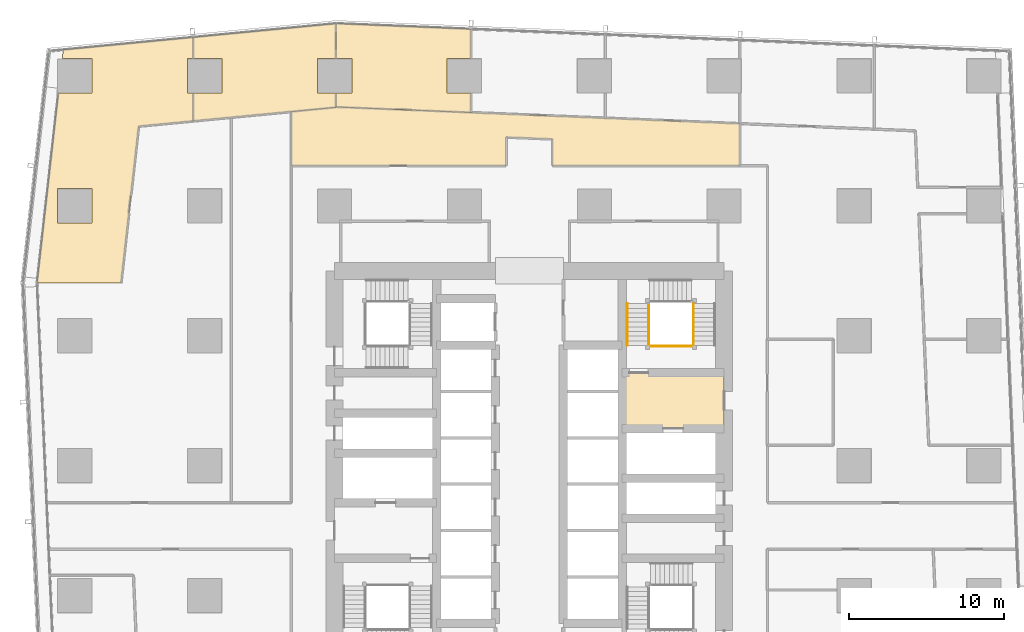
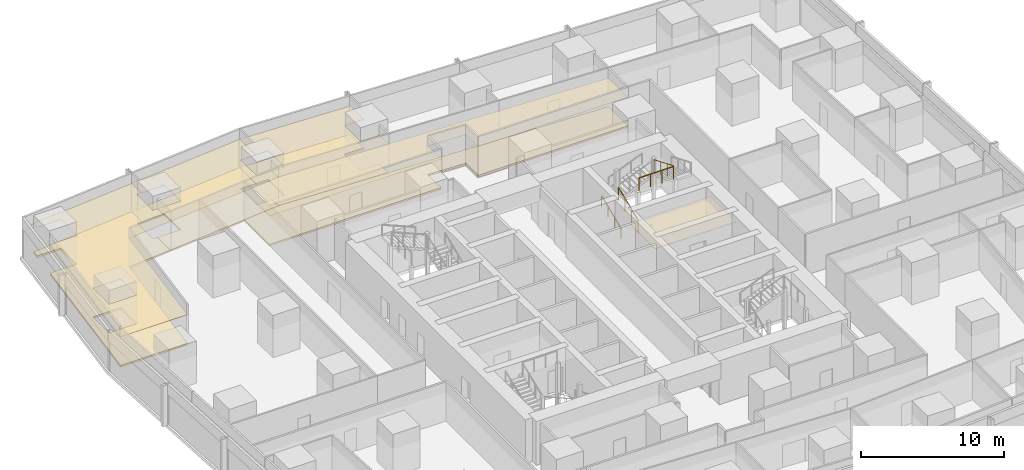
# One storey, part 42 of 44: 9 coverings, 4 railings.
"""IFC4 building model written with IfcOpenShell, lengths in metres."""

from ifc_helpers import new_model, si_unit, direction, frame, origin, origin_2d, place, context, subcontext, project, spatial, polyline, circle, outline, extrude, material, layer, layer_set, type_object, element, save


model = new_model("IFC4")

# Units and contexts
model_context = context("Model", 3, precision=1e-05, world=origin(), true_north=direction((0.0, 1.0)))
body_context = subcontext(model_context, "Body", "Model", "MODEL_VIEW")
ifc_project = project(units=[si_unit("LENGTHUNIT", "METRE"), si_unit("AREAUNIT", "SQUARE_METRE"), si_unit("VOLUMEUNIT", "CUBIC_METRE"), si_unit("PLANEANGLEUNIT", "RADIAN"), si_unit("MASSUNIT", "GRAM", prefix="KILO")], contexts=[model_context])

# Site, building, storey
site_placement = place(None, origin())
site = spatial("IfcSite", under=ifc_project, at=site_placement, CompositionType="ELEMENT")
building_placement = place(site_placement, origin())
building = spatial("IfcBuilding", under=site, at=building_placement, Name="Rekha Terrace Tower", CompositionType="ELEMENT")
storey_placement = place(building_placement, frame((0.0, 0.0, 66.64990234375)))
storey = spatial("IfcBuildingStorey", under=building, at=storey_placement, Name="L16", CompositionType="ELEMENT", Elevation=66.64990234375)

# Coverings
ifc_material_1 = material(Name="Mineral fibre tile in exposed grid", Category="finish")
ifc_layer_1 = layer(ifc_material_1, 0.02001953125)
ifc_layer_set_1 = layer_set([ifc_layer_1], Name="Mineral fibre tile in exposed grid")
covering_type_1 = type_object("IfcCoveringType", Name="CL1 600x1200 office grid ceiling", PredefinedType="CEILING", material=ifc_layer_set_1)
covering_1_placement = place(storey_placement, frame((0.0, 0.0, 2.580078125)))
element("IfcCovering", 1, at=covering_1_placement, inside=storey, type_object=covering_type_1, Name="Ceiling L16-14", PredefinedType="CEILING", context=body_context, shape_type="SweptSolid", body=[
    extrude(outline(polyline([(34.02099609375, 59.9150390625), (34.02099609375, 61.842041015625), (25.291015625, 62.200927734375), (25.291015625, 59.9150390625), (26.31494140625, 59.9150390625), (26.31494140625, 57.68505859375), (25.291015625, 57.68505859375), (25.291015625, 56.797119140625), (34.02099609375, 56.43701171875), (34.02099609375, 57.68505859375), (32.485107421875, 57.68505859375), (32.485107421875, 59.9150390625), (34.02099609375, 59.9150390625)])), origin(), (0.0, 0.0, 1.0), 0.02001953125),
])
covering_2_placement = place(storey_placement, frame((0.0, 0.0, 2.580078125)))
element("IfcCovering", 2, at=covering_2_placement, inside=storey, type_object=covering_type_1, Name="Ceiling L16-15", PredefinedType="CEILING", context=body_context, shape_type="SweptSolid", body=[
    extrude(outline(polyline([(25.2900390625, 59.9150390625), (25.2900390625, 62.197021484375), (16.053955078125, 61.30810546875), (16.053955078125, 59.9150390625), (17.9150390625, 59.9150390625), (17.9150390625, 57.68505859375), (16.053955078125, 57.68505859375), (16.053955078125, 55.884033203125), (25.2900390625, 56.77197265625), (25.2900390625, 57.68505859375), (24.0849609375, 57.68505859375), (24.0849609375, 59.9150390625), (25.2900390625, 59.9150390625)])), origin(), (0.0, 0.0, 1.0), 0.02001953125),
])
covering_3_placement = place(storey_placement, frame((0.0, 0.0, 2.580078125)))
element("IfcCovering", 3, at=covering_3_placement, inside=storey, type_object=covering_type_1, Name="Ceiling L16-16", PredefinedType="CEILING", context=body_context, shape_type="SweptSolid", body=[
    extrude(outline(polyline([(16.052978515625, 59.9150390625), (16.052978515625, 61.30810546875), (7.655029296875, 60.5009765625), (7.589111328125, 59.9150390625), (9.514892578125, 59.9150390625), (9.514892578125, 57.68505859375), (7.337890625, 57.68505859375), (5.958984375, 45.412109375), (11.39306640625, 45.412109375), (12.531982421875, 55.544921875), (16.052978515625, 55.883056640625), (16.052978515625, 57.68505859375), (15.68505859375, 57.68505859375), (15.68505859375, 59.9150390625), (16.052978515625, 59.9150390625)]), holes=[polyline([(9.514892578125, 51.514892578125), (9.514892578125, 49.284912109375), (7.284912109375, 49.284912109375), (7.284912109375, 51.514892578125), (9.514892578125, 51.514892578125)])]), origin(), (0.0, 0.0, 1.0), 0.02001953125),
])
covering_4_placement = place(storey_placement, frame((0.0, 0.0, 2.580078125)))
element("IfcCovering", 4, at=covering_4_placement, inside=storey, type_object=covering_type_1, Name="Ceiling L16-O3", PredefinedType="CEILING", context=body_context, shape_type="SweptSolid", body=[
    extrude(outline(polyline([(25.47412109375, 56.7890625), (25.291015625, 56.77197265625), (22.39990234375, 56.493896484375), (22.39990234375, 53.0), (36.300048828125, 53.0), (36.300048828125, 54.842041015625), (39.300048828125, 54.718017578125), (39.300048828125, 53.0), (51.4150390625, 53.0), (51.4150390625, 55.719970703125), (42.718017578125, 56.077880859375), (34.02099609375, 56.43701171875), (25.47412109375, 56.7890625)])), origin(), (0.0, 0.0, 1.0), 0.02001953125),
])
ifc_material_2 = material(Name="Powder-coated aluminium pan", Category="aluminium")
ifc_layer_2 = layer(ifc_material_2, 0.030029296875)
ifc_layer_set_2 = layer_set([ifc_layer_2], Name="Powder-coated aluminium pan")
covering_type_2 = type_object("IfcCoveringType", Name="CL3 300x1200 metal pan ceiling", PredefinedType="CEILING", material=ifc_layer_set_2)
covering_5_placement = place(storey_placement, frame((0.0, 0.0, 2.570068359375)))
element("IfcCovering", 5, at=covering_5_placement, inside=storey, type_object=covering_type_2, Name="Ceiling L16-FLB2", PredefinedType="CEILING", context=body_context, shape_type="SweptSolid", body=[
    extrude(outline(polyline([(50.39990234375, 39.60009765625), (43.800048828125, 39.60009765625), (43.800048828125, 36.0), (50.39990234375, 36.0), (50.39990234375, 39.60009765625)])), origin(), (0.0, 0.0, 1.0), 0.030029296875),
])

# Railings
ifc_material_3 = material(Name="Stainless steel balustrade", Category="steel")
railing_type_1 = type_object("IfcRailingType", Name="GR1 1100 stair guard", PredefinedType="GUARDRAIL", material=ifc_material_3)
railing_1_placement = place(storey_placement, frame((45.514892578125, 41.375, 0.125)))
element("IfcRailing", 6, at=railing_1_placement, inside=storey, type_object=railing_type_1, Name="Guard ST2 L16 flight 1", PredefinedType="GUARDRAIL", context=body_context, shape_type="SweptSolid", body=[
    extrude(circle(Radius=0.02392578125, at=origin_2d()), frame((0.0, 0.0, 1.076171875), z_axis=(0.0, 0.923074453586, 0.384621311341), x_axis=(-1.0, 0.0, 0.0)), (0.0, 0.0, 1.0), 2.925048828125),
    extrude(circle(Radius=0.02099609375, at=origin_2d()), origin(), (0.0, 0.0, 1.0), 1.052001953125),
    extrude(circle(Radius=0.02099609375, at=origin_2d()), frame((0.0, 0.89990234375, 0.375)), (0.0, 0.0, 1.0), 1.052001953125),
    extrude(circle(Radius=0.02099609375, at=origin_2d()), frame((0.0, 1.800048828125, 0.75)), (0.0, 0.0, 1.0), 1.052001953125),
    extrude(circle(Radius=0.02099609375, at=origin_2d()), frame((0.0, 2.699951171875, 1.125)), (0.0, 0.0, 1.0), 1.052001953125),
])
railing_2_placement = place(storey_placement, frame((48.409912109375, 44.074951171875, 2.625)))
element("IfcRailing", 7, at=railing_2_placement, inside=storey, type_object=railing_type_1, Name="Guard ST2 L16 flight 3", PredefinedType="GUARDRAIL", context=body_context, shape_type="SweptSolid", body=[
    extrude(circle(Radius=0.02392578125, at=origin_2d()), frame((0.0, 0.0, 1.076171875), z_axis=(0.0, -0.923074453586, 0.384621311341), x_axis=(1.0, 0.0, 0.0)), (0.0, 0.0, 1.0), 2.925048828125),
    extrude(circle(Radius=0.02099609375, at=origin_2d()), origin(), (0.0, 0.0, 1.0), 1.052001953125),
    extrude(circle(Radius=0.02099609375, at=origin_2d()), frame((0.0, -0.89990234375, 0.375)), (0.0, 0.0, 1.0), 1.052001953125),
    extrude(circle(Radius=0.02099609375, at=origin_2d()), frame((0.0, -1.800048828125, 0.75)), (0.0, 0.0, 1.0), 1.052001953125),
    extrude(circle(Radius=0.02099609375, at=origin_2d()), frame((0.0, -2.699951171875, 1.125)), (0.0, 0.0, 1.0), 1.052001953125),
])
railing_3_placement = place(storey_placement, frame((45.574951171875, 41.31494140625, 3.75)))
element("IfcRailing", 8, at=railing_3_placement, inside=storey, type_object=railing_type_1, Name="Guard ST2 L16 landing 4", PredefinedType="GUARDRAIL", context=body_context, shape_type="SweptSolid", body=[
    extrude(circle(Radius=0.02392578125, at=origin_2d()), frame((0.0, 0.0, 1.076171875), z_axis=(1.0, 0.0, 0.0), x_axis=(0.0, 1.0, 0.0)), (0.0, 0.0, 1.0), 2.775146484375),
    extrude(circle(Radius=0.02099609375, at=origin_2d()), origin(), (0.0, 0.0, 1.0), 1.052001953125),
    extrude(circle(Radius=0.02099609375, at=origin_2d()), frame((0.925048828125, 0.0, 0.0)), (0.0, 0.0, 1.0), 1.052001953125),
    extrude(circle(Radius=0.02099609375, at=origin_2d()), frame((1.85009765625, 0.0, 0.0)), (0.0, 0.0, 1.0), 1.052001953125),
    extrude(circle(Radius=0.02099609375, at=origin_2d()), frame((2.775146484375, 0.0, 0.0)), (0.0, 0.0, 1.0), 1.052001953125),
])
ifc_material_4 = material(Name="Stainless steel tube", Category="steel")
railing_type_2 = type_object("IfcRailingType", Name="HR1 900 stair handrail", PredefinedType="HANDRAIL", material=ifc_material_4)
railing_4_placement = place(storey_placement, frame((44.135009765625, 41.375, 0.125)))
element("IfcRailing", 9, at=railing_4_placement, inside=storey, type_object=railing_type_2, Name="Handrail ST2 L16 flight 1", PredefinedType="HANDRAIL", context=body_context, shape_type="SweptSolid", body=[
    extrude(circle(Radius=0.02392578125, at=origin_2d()), frame((0.0, 0.0, 0.8759765625), z_axis=(0.0, 0.923074453586, 0.384621311341), x_axis=(-1.0, 0.0, 0.0)), (0.0, 0.0, 1.0), 2.925048828125),
    extrude(circle(Radius=0.02099609375, at=origin_2d()), origin(), (0.0, 0.0, 1.0), 0.851806640625),
    extrude(circle(Radius=0.02099609375, at=origin_2d()), frame((0.0, 0.89990234375, 0.375)), (0.0, 0.0, 1.0), 0.851806640625),
    extrude(circle(Radius=0.02099609375, at=origin_2d()), frame((0.0, 1.800048828125, 0.75)), (0.0, 0.0, 1.0), 0.851806640625),
    extrude(circle(Radius=0.02099609375, at=origin_2d()), frame((0.0, 2.699951171875, 1.125)), (0.0, 0.0, 1.0), 0.851806640625),
])

# Coverings
ifc_material_5 = material(Name="Calcium sulphate panels on steel pedestals", Category="steel")
ifc_layer_3 = layer(ifc_material_5, 0.14990234375)
ifc_layer_set_3 = layer_set([ifc_layer_3], Name="Calcium sulphate panels on steel pedestals")
covering_type_3 = type_object("IfcCoveringType", Name="RF1 150 raised access floor", PredefinedType="FLOORING", material=ifc_layer_set_3)
covering_6_placement = place(storey_placement, origin())
element("IfcCovering", 10, at=covering_6_placement, inside=storey, type_object=covering_type_3, Name="Raised floor L16-14", PredefinedType="FLOORING", context=body_context, shape_type="SweptSolid", body=[
    extrude(outline(polyline([(34.02099609375, 59.9150390625), (34.02099609375, 61.842041015625), (25.291015625, 62.200927734375), (25.291015625, 59.9150390625), (26.31494140625, 59.9150390625), (26.31494140625, 57.68505859375), (25.291015625, 57.68505859375), (25.291015625, 56.797119140625), (34.02099609375, 56.43701171875), (34.02099609375, 57.68505859375), (32.485107421875, 57.68505859375), (32.485107421875, 59.9150390625), (34.02099609375, 59.9150390625)])), origin(), (0.0, 0.0, 1.0), 0.150146484375),
])
covering_7_placement = place(storey_placement, origin())
element("IfcCovering", 11, at=covering_7_placement, inside=storey, type_object=covering_type_3, Name="Raised floor L16-15", PredefinedType="FLOORING", context=body_context, shape_type="SweptSolid", body=[
    extrude(outline(polyline([(25.2900390625, 59.9150390625), (25.2900390625, 62.197021484375), (16.053955078125, 61.30810546875), (16.053955078125, 59.9150390625), (17.9150390625, 59.9150390625), (17.9150390625, 57.68505859375), (16.053955078125, 57.68505859375), (16.053955078125, 55.884033203125), (25.2900390625, 56.77197265625), (25.2900390625, 57.68505859375), (24.0849609375, 57.68505859375), (24.0849609375, 59.9150390625), (25.2900390625, 59.9150390625)])), origin(), (0.0, 0.0, 1.0), 0.150146484375),
])
covering_8_placement = place(storey_placement, origin())
element("IfcCovering", 12, at=covering_8_placement, inside=storey, type_object=covering_type_3, Name="Raised floor L16-16", PredefinedType="FLOORING", context=body_context, shape_type="SweptSolid", body=[
    extrude(outline(polyline([(16.052978515625, 59.9150390625), (16.052978515625, 61.30810546875), (7.655029296875, 60.5009765625), (7.589111328125, 59.9150390625), (9.514892578125, 59.9150390625), (9.514892578125, 57.68505859375), (7.337890625, 57.68505859375), (5.958984375, 45.412109375), (11.39306640625, 45.412109375), (12.531982421875, 55.544921875), (16.052978515625, 55.883056640625), (16.052978515625, 57.68505859375), (15.68505859375, 57.68505859375), (15.68505859375, 59.9150390625), (16.052978515625, 59.9150390625)]), holes=[polyline([(9.514892578125, 51.514892578125), (9.514892578125, 49.284912109375), (7.284912109375, 49.284912109375), (7.284912109375, 51.514892578125), (9.514892578125, 51.514892578125)])]), origin(), (0.0, 0.0, 1.0), 0.150146484375),
])
covering_9_placement = place(storey_placement, origin())
element("IfcCovering", 13, at=covering_9_placement, inside=storey, type_object=covering_type_3, Name="Raised floor L16-O3", PredefinedType="FLOORING", context=body_context, shape_type="SweptSolid", body=[
    extrude(outline(polyline([(25.47412109375, 56.7890625), (25.291015625, 56.77197265625), (22.39990234375, 56.493896484375), (22.39990234375, 53.0), (36.300048828125, 53.0), (36.300048828125, 54.842041015625), (39.300048828125, 54.718017578125), (39.300048828125, 53.0), (51.4150390625, 53.0), (51.4150390625, 55.719970703125), (42.718017578125, 56.077880859375), (34.02099609375, 56.43701171875), (25.47412109375, 56.7890625)])), origin(), (0.0, 0.0, 1.0), 0.150146484375),
])

save(model, "model.ifc")
